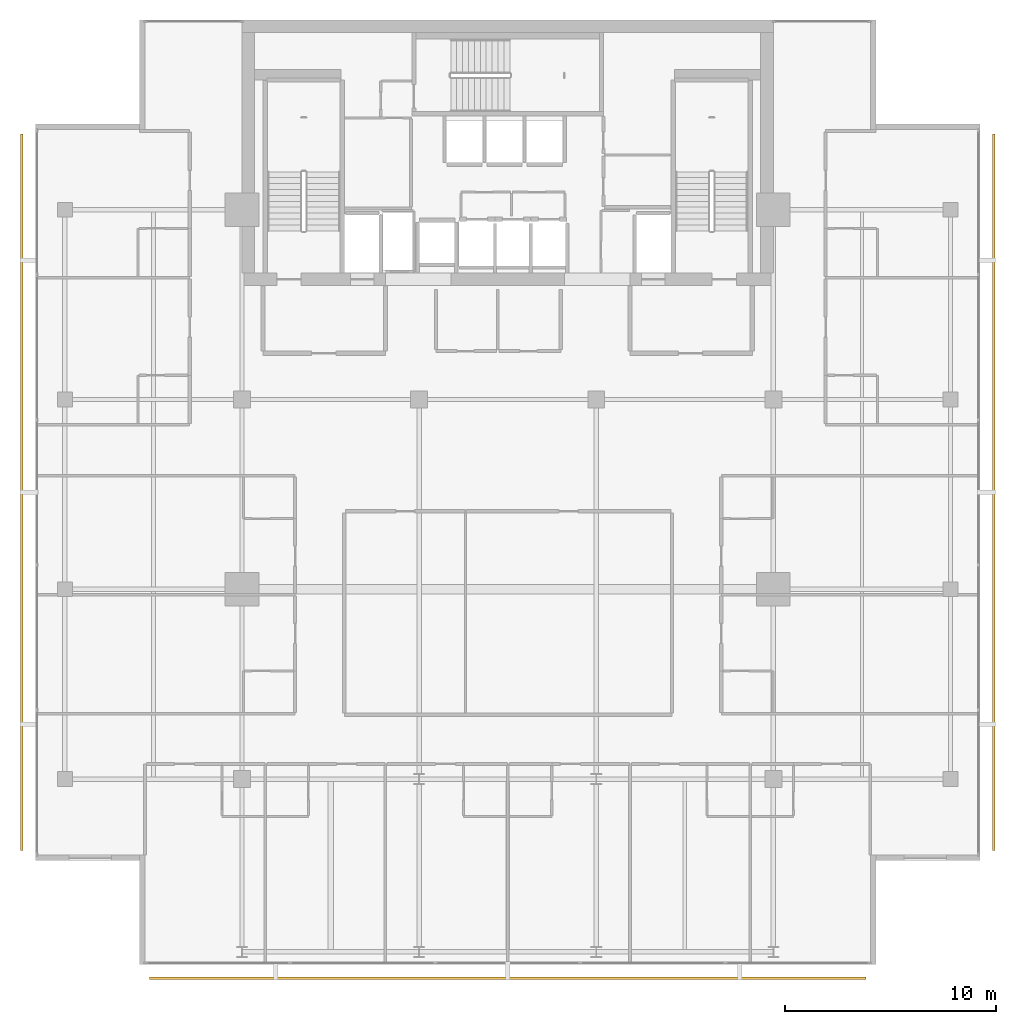
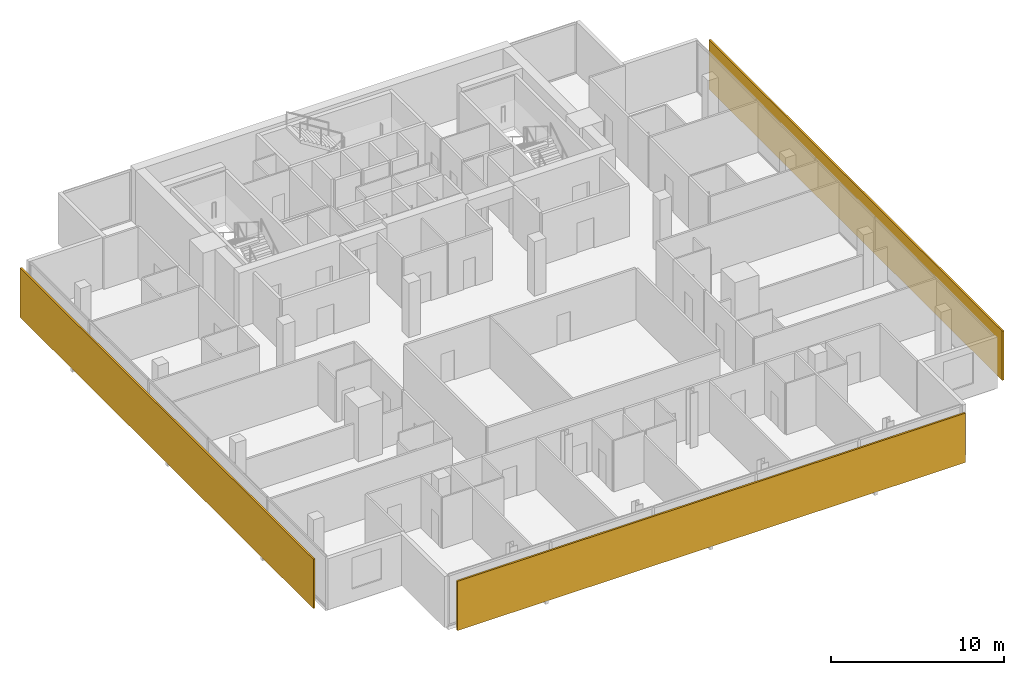
# One storey, part 25 of 26: 3 shading devices.
"""IFC4 building model written with IfcOpenShell, lengths in metres."""

from ifc_helpers import new_model, si_unit, direction, frame, origin, origin_2d, place, context, subcontext, project, spatial, rectangle, extrude, material, layer, layer_set, type_object, element, save


model = new_model("IFC4")

# Units and contexts
model_context = context("Model", 3, precision=1e-05, world=origin(), true_north=direction((0.0, 1.0)))
body_context = subcontext(model_context, "Body", "Model", "MODEL_VIEW")
ifc_project = project(units=[si_unit("LENGTHUNIT", "METRE"), si_unit("AREAUNIT", "SQUARE_METRE"), si_unit("VOLUMEUNIT", "CUBIC_METRE"), si_unit("PLANEANGLEUNIT", "RADIAN"), si_unit("MASSUNIT", "GRAM", prefix="KILO")], contexts=[model_context])

# Site, building, storey
site_placement = place(None, origin())
site = spatial("IfcSite", under=ifc_project, at=site_placement, CompositionType="ELEMENT")
building_placement = place(site_placement, origin())
building = spatial("IfcBuilding", under=site, at=building_placement, Name="Maruvema Waterfront Hotel and Observation Tower", CompositionType="ELEMENT")
storey_placement = place(building_placement, frame((0.0, 0.0, 243.25)))
storey = spatial("IfcBuildingStorey", under=building, at=storey_placement, Name="L59", CompositionType="ELEMENT", Elevation=243.25)

# Shading devices
ifc_material = material(Name="Honed travertine stone and anodised architectural bronze", Category="masonry")
ifc_layer = layer(ifc_material, 0.1201171875, Name="Ventilated Outer Skin Cobogo Stone-and-Bronze Screen 120 mm")
ifc_layer_set = layer_set([ifc_layer], Name="Honed travertine stone and anodised architectural bronze")
shading_device_type = type_object("IfcShadingDeviceType", Name="Ventilated Outer Skin Cobogo Stone-and-Bronze Screen 120 mm", PredefinedType="USERDEFINED", material=ifc_layer_set)
for number, where, z_axis, x_axis, name in (
    (1, (37.800048828125, 8.550048828125, 0.06005859375), (0.0, 0.0, 1.0), (1.0, 0.0, 0.0), "L59 Ventilated Double-Skin Outer Cobogo Screen OS-L59-S"),
    (2, (60.85009765625, 31.60009765625, 0.06005859375), (0.0, 0.0, 1.0), (0.0, 1.0, 0.0), "L59 Ventilated Double-Skin Outer Cobogo Screen OS-L59-E"),
    (3, (14.75, 31.60009765625, 0.06005859375), (0.0, 0.0, 1.0), (0.0, -1.0, 0.0), "L59 Ventilated Double-Skin Outer Cobogo Screen OS-L59-W"),
):
    element("IfcShadingDevice", number, at=place(storey_placement, frame(where, z_axis=z_axis, x_axis=x_axis)), inside=storey, type_object=shading_device_type, Name=name, ObjectType="OUTER SKIN SCREEN", PredefinedType="USERDEFINED", context=body_context, shape_type="SweptSolid", body=[
        extrude(rectangle(XDim=34.0, YDim=0.1201171875, at=origin_2d()), origin(), (0.0, 0.0, 1.0), 3.489990234375),
    ])

save(model, "model.ifc")
